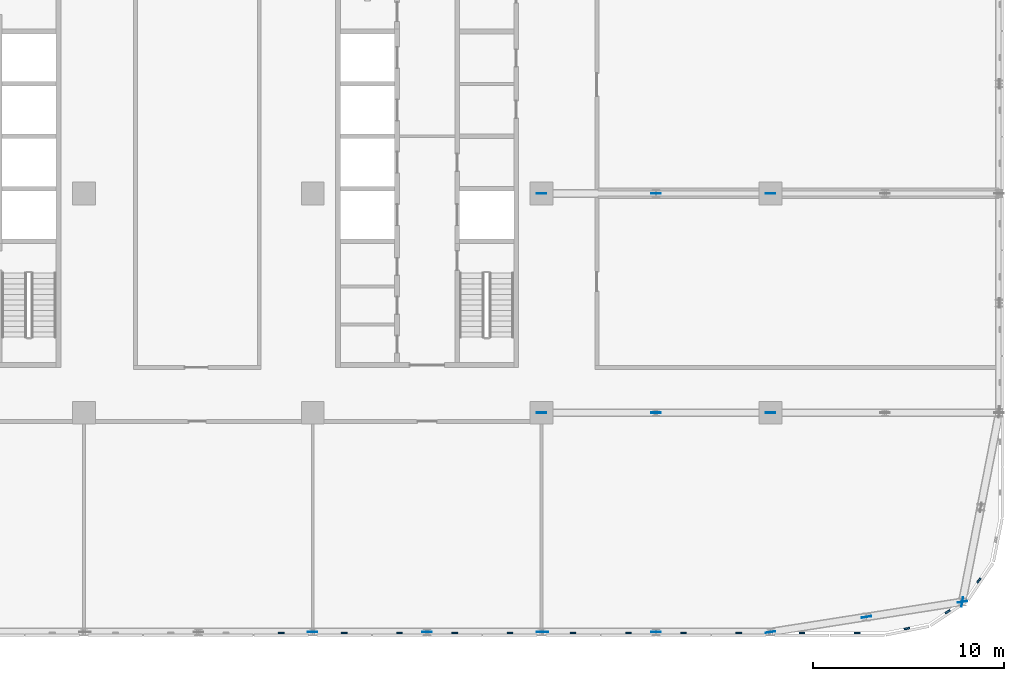
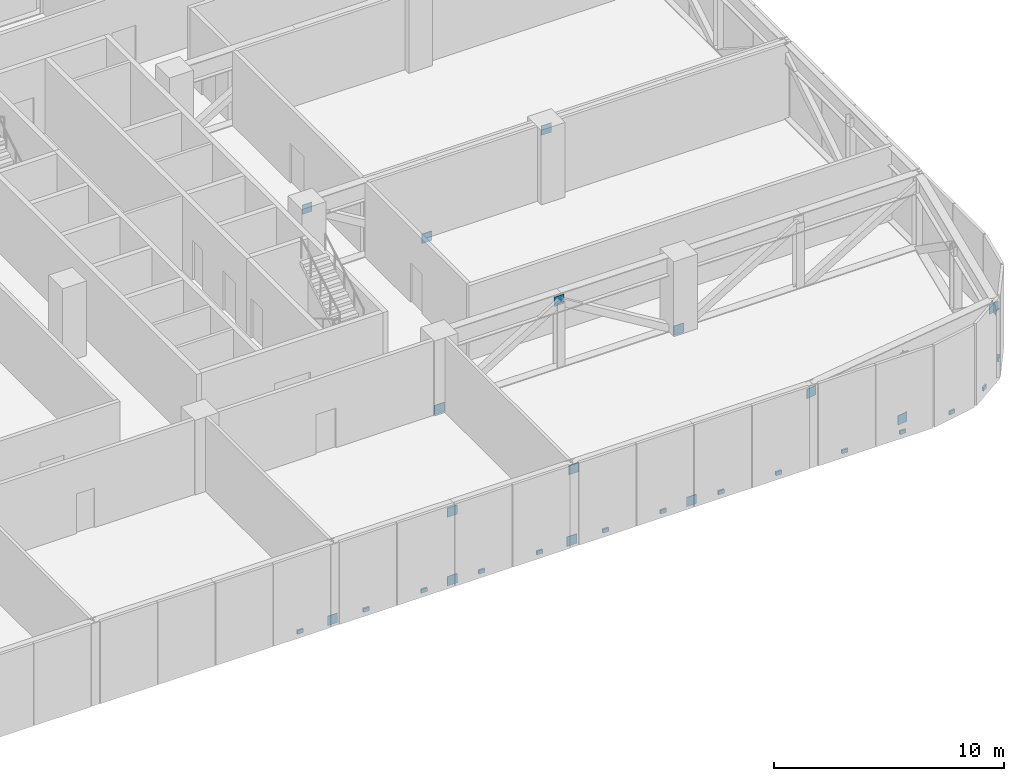
# One storey, part 18 of 26: 30 discrete accessories.
"""IFC4 building model written with IfcOpenShell, lengths in metres."""

from ifc_helpers import new_model, si_unit, direction, frame, origin, origin_2d, place, context, subcontext, project, spatial, rectangle, extrude, material, layer, layer_set, type_object, element, save


model = new_model("IFC4")

# Units and contexts
model_context = context("Model", 3, precision=1e-05, world=origin(), true_north=direction((0.0, 1.0)))
body_context = subcontext(model_context, "Body", "Model", "MODEL_VIEW")
ifc_project = project(units=[si_unit("LENGTHUNIT", "METRE"), si_unit("AREAUNIT", "SQUARE_METRE"), si_unit("VOLUMEUNIT", "CUBIC_METRE"), si_unit("PLANEANGLEUNIT", "RADIAN"), si_unit("MASSUNIT", "GRAM", prefix="KILO")], contexts=[model_context])

# Site, building, storey
site_placement = place(None, origin())
site = spatial("IfcSite", under=ifc_project, at=site_placement, CompositionType="ELEMENT")
building_placement = place(site_placement, origin())
building = spatial("IfcBuilding", under=site, at=building_placement, Name="Mahtab Terrace Research Tower", CompositionType="ELEMENT")
storey_placement = place(building_placement, frame((0.0, 0.0, 189.60009765625)))
storey = spatial("IfcBuildingStorey", under=building, at=storey_placement, Name="L45", CompositionType="ELEMENT", Elevation=189.60009765625)

# Discrete accessories
ifc_material_1 = material(Name="Black anodised aluminium", Category="aluminium")
discrete_accessory_type_1 = type_object("IfcDiscreteAccessoryType", Name="Facade bracket", PredefinedType="BRACKET", material=ifc_material_1)
for number, where, z_axis, x_axis, name in (
    (1, (43.656005859375, -23.044921875, -0.30029296875), (0.0, 0.0, 1.0), (1.0, 0.0, 0.0), "Louvre bracket L45 1"),
    (2, (46.552001953125, -23.044921875, -0.30029296875), (0.0, 0.0, 1.0), (1.0, 0.0, 0.0), "Louvre bracket L45 2"),
    (3, (49.15673828125, -22.815673828125, -0.30029296875), (0.0, 0.0, 1.0), (0.980760981187, 0.195212442692, 0.0), "Louvre bracket L45 3"),
    (4, (51.29443359375, -21.930419921875, -0.30029296875), (0.0, 0.0, 1.0), (0.831655794326, 0.555291490808, 0.0), "Louvre bracket L45 4"),
    (5, (52.930419921875, -20.29443359375, -0.30029296875), (0.0, 0.0, 1.0), (0.555291490808, 0.831655794326, 0.0), "Louvre bracket L45 5"),
    (6, (16.343994140625, -23.044921875, -0.30029296875), (0.0, 0.0, 1.0), (1.0, 0.0, 0.0), "Louvre bracket L45 91"),
    (7, (19.656005859375, -23.044921875, -0.30029296875), (0.0, 0.0, 1.0), (1.0, 0.0, 0.0), "Louvre bracket L45 92"),
    (8, (22.552001953125, -23.044921875, -0.30029296875), (0.0, 0.0, 1.0), (1.0, 0.0, 0.0), "Louvre bracket L45 93"),
    (9, (25.447998046875, -23.044921875, -0.30029296875), (0.0, 0.0, 1.0), (1.0, 0.0, 0.0), "Louvre bracket L45 94"),
    (10, (28.343994140625, -23.044921875, -0.30029296875), (0.0, 0.0, 1.0), (1.0, 0.0, 0.0), "Louvre bracket L45 95"),
    (11, (31.656005859375, -23.044921875, -0.30029296875), (0.0, 0.0, 1.0), (1.0, 0.0, 0.0), "Louvre bracket L45 96"),
    (12, (34.552001953125, -23.044921875, -0.30029296875), (0.0, 0.0, 1.0), (1.0, 0.0, 0.0), "Louvre bracket L45 97"),
    (13, (37.447998046875, -23.044921875, -0.30029296875), (0.0, 0.0, 1.0), (1.0, 0.0, 0.0), "Louvre bracket L45 98"),
    (14, (40.343994140625, -23.044921875, -0.30029296875), (0.0, 0.0, 1.0), (1.0, 0.0, 0.0), "Louvre bracket L45 99"),
):
    element("IfcDiscreteAccessory", number, at=place(storey_placement, frame(where, z_axis=z_axis, x_axis=x_axis)), inside=storey, type_object=discrete_accessory_type_1, Name=name, PredefinedType="BRACKET", context=body_context, shape_type="SweptSolid", body=[
        extrude(rectangle(XDim=0.300048828125, YDim=0.090087890625, at=origin_2d()), origin(), (0.0, 0.0, 1.0), 0.199951171875),
    ])
ifc_material_2 = material(Name="Steel ASTM A992 Gr 50", Category="steel")
ifc_layer = layer(ifc_material_2, 0.030029296875)
ifc_layer_set = layer_set([ifc_layer], Name="Gusset plate 500x500x30")
discrete_accessory_type_2 = type_object("IfcDiscreteAccessoryType", Name="Gusset plate 500x500x30", PredefinedType="USERDEFINED", material=ifc_layer_set)
for number, where, z_axis, x_axis, name in (
    (15, (18.0, -23.0, -0.427978515625), (0.0, 0.0, 1.0), (1.0, 0.0, 0.0), "Gusset plate"),
    (16, (24.0, -23.0, -0.427978515625), (0.0, 0.0, 1.0), (1.0, 0.0, 0.0), "Gusset plate"),
    (17, (24.0, -23.0, 3.20947265625), (0.0, 0.0, 1.0), (1.0, 0.0, 0.0), "Gusset plate"),
    (18, (30.0, -23.0, -0.427978515625), (0.0, 0.0, 1.0), (1.0, 0.0, 0.0), "Gusset plate"),
    (19, (30.100341796875, -23.0, 3.322021484375), (0.0, 0.0, 1.0), (1.0, 0.0, 0.0), "Gusset plate"),
    (20, (30.0, -11.5, -0.427978515625), (0.0, 0.0, 1.0), (1.0, 0.0, 0.0), "Gusset plate"),
    (21, (30.0, 0.0, 3.20947265625), (0.0, 0.0, 1.0), (1.0, 0.0, 0.0), "Gusset plate"),
    (22, (36.0, -23.0, -0.427978515625), (0.0, 0.0, 1.0), (1.0, 0.0, 0.0), "Gusset plate"),
    (23, (36.0, -11.5, 3.20947265625), (0.0, 0.0, 1.0), (1.0, 0.0, 0.0), "Gusset plate"),
    (24, (36.0, 0.0, -0.427978515625), (0.0, 0.0, 1.0), (1.0, 0.0, 0.0), "Gusset plate"),
    (25, (42.0, -11.5, -0.427978515625), (0.0, 0.0, 1.0), (1.0, 0.0, 0.0), "Gusset plate"),
    (26, (42.0, 0.0, 3.20947265625), (0.0, 0.0, 1.0), (1.0, 0.0, 0.0), "Gusset plate"),
    (27, (42.0, -23.0, 3.20947265625), (0.0, 0.0, 1.0), (0.987835337919, 0.15550352137, 0.0), "Gusset plate"),
    (28, (47.031005859375, -22.2080078125, -0.427978515625), (0.0, 0.0, 1.0), (0.987835337919, 0.15550352137, 0.0), "Gusset plate"),
    (29, (52.06201171875, -21.416015625, 3.20947265625), (0.0, 0.0, 1.0), (0.987835337919, 0.15550352137, 0.0), "Gusset plate"),
    (30, (52.06201171875, -21.416015625, 3.20947265625), (0.0, 0.0, 1.0), (0.19181971899, 0.981430178569, 0.0), "Gusset plate"),
):
    element("IfcDiscreteAccessory", number, at=place(storey_placement, frame(where, z_axis=z_axis, x_axis=x_axis)), inside=storey, type_object=discrete_accessory_type_2, Name=name, ObjectType="GUSSET PLATE", PredefinedType="USERDEFINED", context=body_context, shape_type="SweptSolid", body=[
        extrude(rectangle(XDim=0.5, YDim=0.030029296875, at=origin_2d()), origin(), (0.0, 0.0, 1.0), 0.5),
    ])

save(model, "model.ifc")
